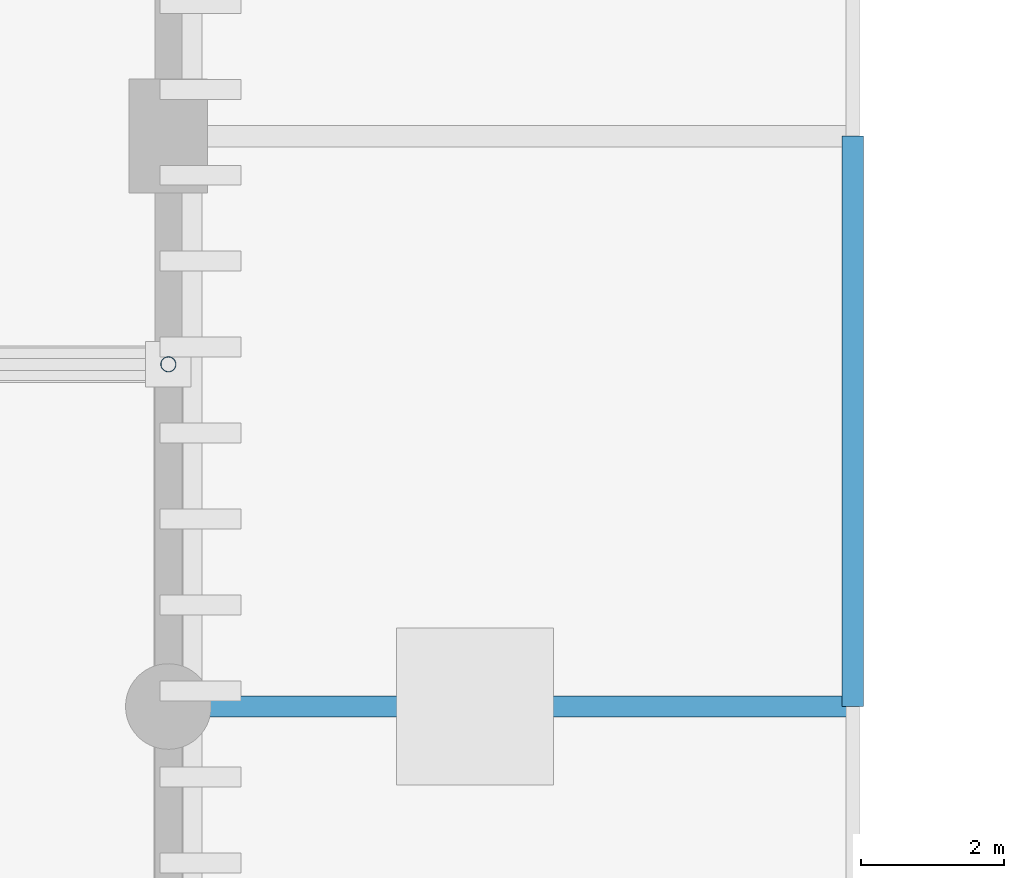
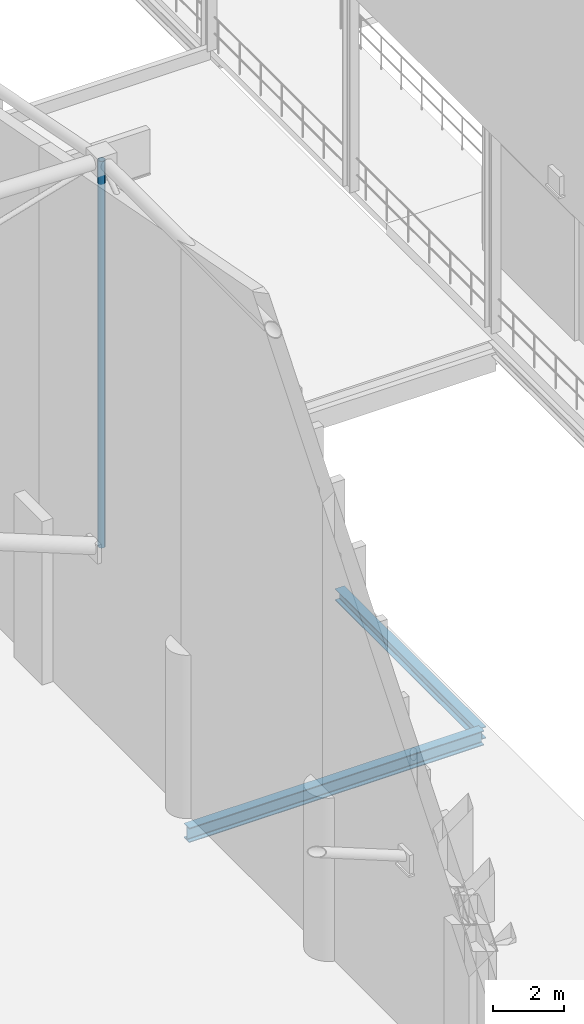
# One storey, part 71 of 193: 2 beams, 1 member.
"""IFC4 building model written with IfcOpenShell, lengths in metres."""

from ifc_helpers import new_model, si_unit, direction, frame, origin, origin_2d, place, context, subcontext, project, spatial, hollow_circle, i_section, extrude, material, material_profile, profile_set, type_object, element, save


model = new_model("IFC4")

# Units and contexts
model_context = context("Model", 3, precision=1e-05, world=origin(), true_north=direction((0.0, 1.0)))
body_context = subcontext(model_context, "Body", "Model", "MODEL_VIEW")
ifc_project = project(units=[si_unit("LENGTHUNIT", "METRE"), si_unit("AREAUNIT", "SQUARE_METRE"), si_unit("VOLUMEUNIT", "CUBIC_METRE"), si_unit("PLANEANGLEUNIT", "RADIAN"), si_unit("MASSUNIT", "GRAM", prefix="KILO")], contexts=[model_context])

# Site, building, storey
site_placement = place(None, origin())
site = spatial("IfcSite", under=ifc_project, at=site_placement, CompositionType="ELEMENT")
building_placement = place(site_placement, origin())
building = spatial("IfcBuilding", under=site, at=building_placement, Name="Danafjord Basin Convention Centre", CompositionType="ELEMENT")
storey_placement = place(building_placement, frame((0.0, 0.0, 11.39990234375)))
storey = spatial("IfcBuildingStorey", under=building, at=storey_placement, Name="L02", CompositionType="ELEMENT", Elevation=11.39990234375)

# Beams
ifc_material = material(Name="Steel S355", Category="steel")
ifc_material_profile_1 = material_profile(ifc_material, i_section(OverallWidth=0.300048828125, OverallDepth=0.5, WebThickness=0.014404296875, FlangeThickness=0.028076171875, FilletRadius=0.027099609375, at=origin_2d()), Name="HEB 500")
ifc_profile_set_1 = profile_set([ifc_material_profile_1], Name="Steel S355")
beam_type_1 = type_object("IfcBeamType", Name="BEAM-BM-HEB500", PredefinedType="BEAM", material=ifc_profile_set_1)
beam_1_placement = place(storey_placement, frame((115.199951171875, 104.0, -0.914794921875), z_axis=(1.0, 0.0, 0.0), x_axis=(0.0, 1.0, 0.0)))
element("IfcBeam", 1, at=beam_1_placement, inside=storey, type_object=beam_type_1, Name="L02 girder BM-HEB500", PredefinedType="BEAM", context=body_context, shape_type="SweptSolid", body=[
    extrude(i_section(OverallWidth=0.300048828125, OverallDepth=0.5, WebThickness=0.014404296875, FlangeThickness=0.028076171875, FilletRadius=0.027099609375, at=origin_2d()), origin(), (0.0, 0.0, 1.0), 9.60009765625),
])
ifc_material_profile_2 = material_profile(ifc_material, i_section(OverallWidth=0.300048828125, OverallDepth=0.39990234375, WebThickness=0.013427734375, FlangeThickness=0.02392578125, FilletRadius=0.027099609375, at=origin_2d()), Name="HEB 400")
ifc_profile_set_2 = profile_set([ifc_material_profile_2], Name="Steel S355")
beam_type_2 = type_object("IfcBeamType", Name="BEAM-SP-HEB400", PredefinedType="SPANDREL", material=ifc_profile_set_2)
beam_2_placement = place(storey_placement, frame((124.800048828125, 104.0, -0.864990234375), z_axis=(0.0, 1.0, 0.0), x_axis=(-1.0, 0.0, 0.0)))
element("IfcBeam", 2, at=beam_2_placement, inside=storey, type_object=beam_type_2, Name="L02 transverse girder SP-HEB400", PredefinedType="SPANDREL", context=body_context, shape_type="SweptSolid", body=[
    extrude(i_section(OverallWidth=0.300048828125, OverallDepth=0.39990234375, WebThickness=0.013427734375, FlangeThickness=0.02392578125, FilletRadius=0.027099609375, at=origin_2d()), origin(), (0.0, 0.0, 1.0), 8.0),
])

# Member
ifc_material_profile_3 = material_profile(ifc_material, hollow_circle(Radius=0.109619140625, WallThickness=0.010009765625, at=origin_2d()), Name="CHS 219.1x10.0")
ifc_profile_set_3 = profile_set([ifc_material_profile_3], Name="Steel S355")
member_type = type_object("IfcMemberType", Name="MEM-ST-CHS219", PredefinedType="STRUT", material=ifc_profile_set_3)
member_placement = place(storey_placement, frame((115.199951171875, 108.800048828125, 6.050048828125), z_axis=(0.0, 0.0, 1.0), x_axis=(1.0, 0.0, 0.0)))
element("IfcMember", 3, at=member_placement, inside=storey, type_object=member_type, Name="V1 roof truss vertical strut", PredefinedType="STRUT", context=body_context, shape_type="SweptSolid", body=[
    extrude(hollow_circle(Radius=0.109619140625, WallThickness=0.010009765625, at=origin_2d()), origin(), (0.0, 0.0, 1.0), 13.310546875),
])

save(model, "model.ifc")
